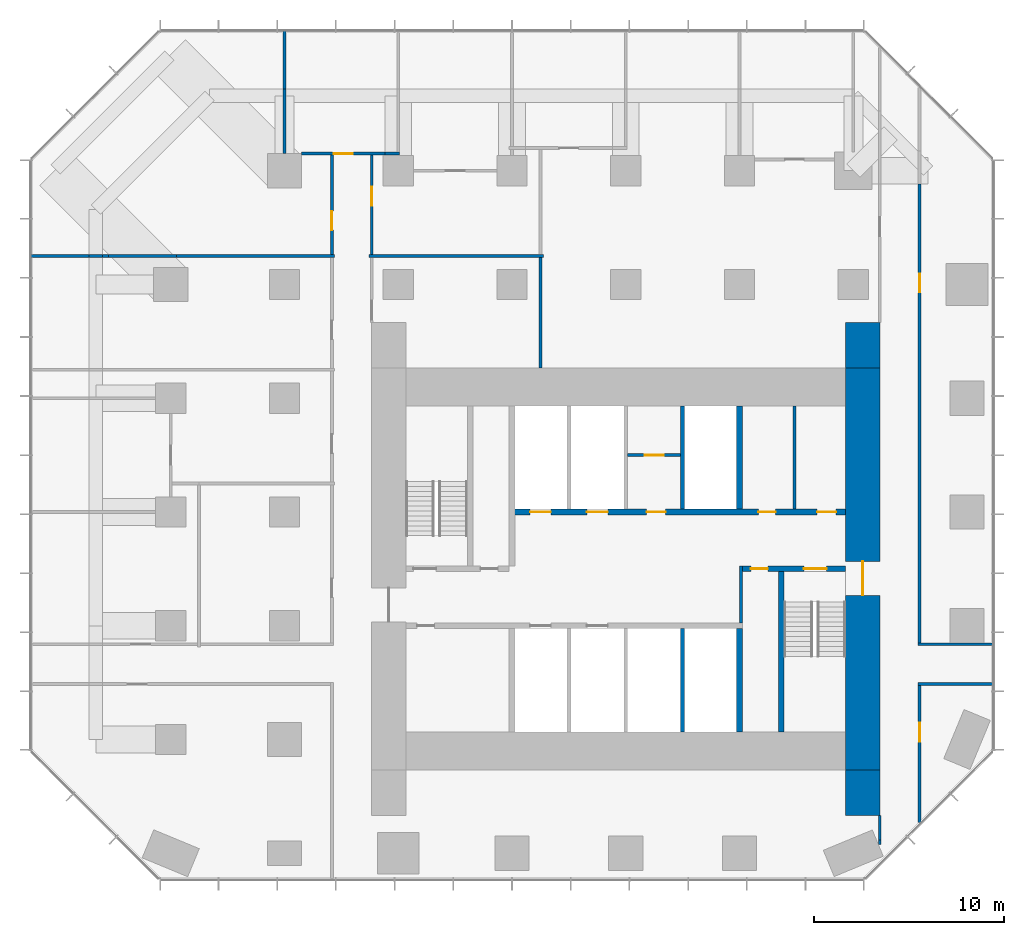
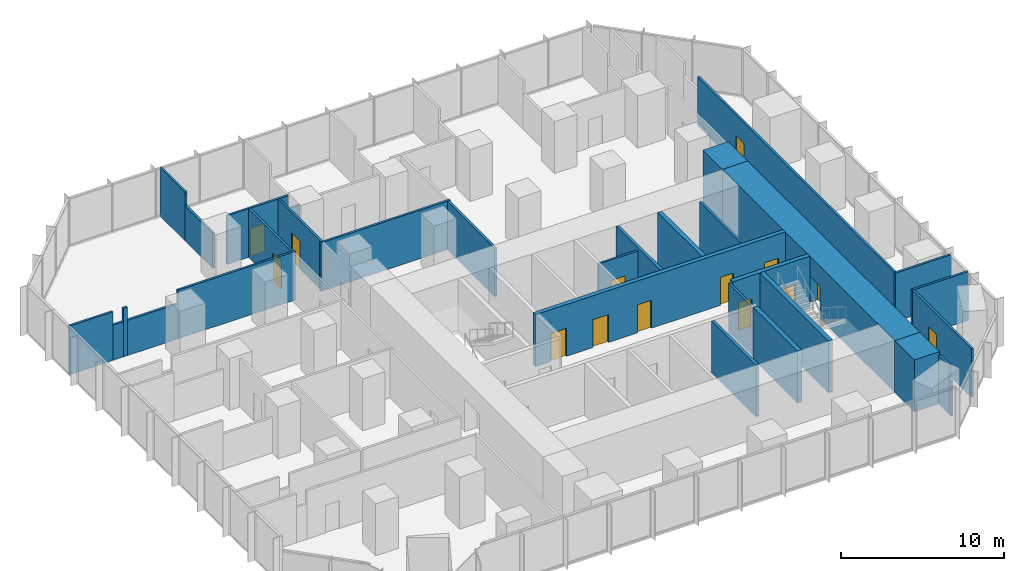
# One storey, part 9 of 11: 32 walls, 14 doors, 14 openings.
"""IFC4 building model written with IfcOpenShell, lengths in metres."""

from ifc_helpers import new_model, si_unit, direction, frame, frame_2d, origin, place, context, subcontext, project, spatial, rectangle, extrude, material, layer, layer_set, type_object, element, fill, save


model = new_model("IFC4")

# Units and contexts
model_context = context("Model", 3, precision=1e-05, world=origin(), true_north=direction((0.0, 1.0)))
body_context = subcontext(model_context, "Body", "Model", "MODEL_VIEW")
ifc_project = project(units=[si_unit("LENGTHUNIT", "METRE"), si_unit("AREAUNIT", "SQUARE_METRE"), si_unit("VOLUMEUNIT", "CUBIC_METRE"), si_unit("PLANEANGLEUNIT", "RADIAN"), si_unit("MASSUNIT", "GRAM", prefix="KILO")], contexts=[model_context])

# Site, building, storey
site_placement = place(None, origin())
site = spatial("IfcSite", under=ifc_project, at=site_placement, CompositionType="ELEMENT")
building_placement = place(site_placement, origin())
building = spatial("IfcBuilding", under=site, at=building_placement, Name="Highveld Stack Headquarters", CompositionType="ELEMENT")
storey_placement = place(building_placement, frame((0.0, 0.0, 113.300048828125)))
storey = spatial("IfcBuildingStorey", under=building, at=storey_placement, Name="L27", CompositionType="ELEMENT", Elevation=113.300048828125)

# Wall, opening, door
ifc_material_1 = material(Name="Concrete C60/75", Category="concrete")
ifc_layer_1 = layer(ifc_material_1, 1.800048828125)
ifc_layer_set_1 = layer_set([ifc_layer_1], Name="Concrete C60/75")
wall_type_1 = type_object("IfcWallType", Name="CORE WALL 1800 C60/75", PredefinedType="SHEAR", material=ifc_layer_set_1)
wall_1_placement = place(storey_placement, frame((18.5, -7.60009765625, 0.0), z_axis=(0.0, 0.0, 1.0), x_axis=(0.0, 1.0, 0.0)))
wall_1 = element("IfcWall", 1, at=wall_1_placement, inside=storey, type_object=wall_type_1, Name="Core wall E L27", PredefinedType="SHEAR", context=body_context, shape_type="SweptSolid", body=[
    extrude(rectangle(XDim=21.2001953125, YDim=1.800048828125, at=frame_2d((10.60009765625, 0.0))), origin(), (0.0, 0.0, 1.0), 3.89990234375),
])
opening_1_placement = place(wall_1_placement, frame((9.199951171875, 0.0, 0.0)))
opening_1 = element("IfcOpeningElement", 2, at=opening_1_placement, cuts=wall_1, Name="Opening L27-02", PredefinedType="OPENING", context=body_context, shape_type="SweptSolid", body=[
    extrude(rectangle(XDim=1.800048828125, YDim=2.39990234375, at=frame_2d((0.89990234375, 1.199951171875))), frame((0.0, 0.909912109375, 0.0), z_axis=(0.0, -1.0, 0.0), x_axis=(1.0, 0.0, 0.0)), (0.0, 0.0, 1.0), 1.820068359375),
])
ifc_material_2 = material(Name="Steel fire door", Category="steel")
door_type_1 = type_object("IfcDoorType", Name="LOBBY FIRE DOOR D4 1800x2400", OperationType="DOUBLE_DOOR_SINGLE_SWING", PredefinedType="DOOR", material=ifc_material_2)
door_1_placement = place(opening_1_placement, origin())
door_1 = element("IfcDoor", 3, at=door_1_placement, inside=storey, type_object=door_type_1, Name="Core east door L27", OperationType="DOUBLE_DOOR_SINGLE_SWING", OverallHeight=2.39990234375, OverallWidth=1.800048828125, PredefinedType="DOOR", context=body_context, shape_type="SweptSolid", body=[
    extrude(rectangle(XDim=1.800048828125, YDim=2.39990234375, at=frame_2d((0.89990234375, 1.199951171875))), frame((0.0, 0.02490234375, 0.0), z_axis=(0.0, -1.0, 0.0), x_axis=(1.0, 0.0, 0.0)), (0.0, 0.0, 1.0), 0.050048828125),
])
fill(opening_1, door_1)

# Wall, openings, doors
ifc_material_3 = material(Name="Concrete C60/75", Category="concrete")
ifc_layer_2 = layer(ifc_material_3, 0.300048828125)
ifc_layer_set_2 = layer_set([ifc_layer_2], Name="Concrete C60/75")
wall_type_2 = type_object("IfcWallType", Name="CORE WALL 300 C60/75", PredefinedType="SHEAR", material=ifc_layer_set_2)
wall_2_placement = place(storey_placement, frame((12.14990234375, 3.0, 0.0), z_axis=(0.0, 0.0, 1.0), x_axis=(1.0, 0.0, 0.0)))
wall_2 = element("IfcWall", 4, at=wall_2_placement, inside=storey, type_object=wall_type_2, Name="Core wall I-Y3E L27", PredefinedType="SHEAR", context=body_context, shape_type="SweptSolid", body=[
    extrude(rectangle(XDim=5.4501953125, YDim=0.300048828125, at=frame_2d((2.72509765625, 0.0))), origin(), (0.0, 0.0, 1.0), 3.89990234375),
])
opening_2_placement = place(wall_2_placement, frame((3.25, 0.0, 0.0)))
opening_2 = element("IfcOpeningElement", 5, at=opening_2_placement, cuts=wall_2, Name="Opening L27-05", PredefinedType="OPENING", context=body_context, shape_type="SweptSolid", body=[
    extrude(rectangle(XDim=1.199951171875, YDim=2.10009765625, at=frame_2d((0.60009765625, 1.050048828125))), frame((0.0, 0.159912109375, 0.0), z_axis=(0.0, -1.0, 0.0), x_axis=(1.0, 0.0, 0.0)), (0.0, 0.0, 1.0), 0.320068359375),
])
opening_3_placement = place(wall_2_placement, frame((0.449951171875, 0.0, 0.0)))
opening_3 = element("IfcOpeningElement", 6, at=opening_3_placement, cuts=wall_2, Name="Opening L27-06", PredefinedType="OPENING", context=body_context, shape_type="SweptSolid", body=[
    extrude(rectangle(XDim=0.89990234375, YDim=2.10009765625, at=frame_2d((0.449951171875, 1.050048828125))), frame((0.0, 0.159912109375, 0.0), z_axis=(0.0, -1.0, 0.0), x_axis=(1.0, 0.0, 0.0)), (0.0, 0.0, 1.0), 0.320068359375),
])
ifc_material_4 = material(Name="Steel fire door", Category="steel")
door_type_2 = type_object("IfcDoorType", Name="RISER ACCESS DOOR D5 900x2100", OperationType="SINGLE_SWING_LEFT", PredefinedType="DOOR", material=ifc_material_4)
door_2_placement = place(opening_3_placement, origin())
door_2 = element("IfcDoor", 7, at=door_2_placement, inside=storey, type_object=door_type_2, Name="Riser R2 door L27", OperationType="SINGLE_SWING_LEFT", OverallHeight=2.10009765625, OverallWidth=0.89990234375, PredefinedType="DOOR", context=body_context, shape_type="SweptSolid", body=[
    extrude(rectangle(XDim=0.89990234375, YDim=2.10009765625, at=frame_2d((0.449951171875, 1.050048828125))), frame((0.0, 0.02490234375, 0.0), z_axis=(0.0, -1.0, 0.0), x_axis=(1.0, 0.0, 0.0)), (0.0, 0.0, 1.0), 0.050048828125),
])
fill(opening_3, door_2)
ifc_material_5 = material(Name="Steel fire door", Category="steel")
door_type_3 = type_object("IfcDoorType", Name="STAIR FIRE DOOR D3 1200x2100", OperationType="SINGLE_SWING_LEFT", PredefinedType="DOOR", material=ifc_material_5)
door_3_placement = place(opening_2_placement, origin())
door_3 = element("IfcDoor", 8, at=door_3_placement, inside=storey, type_object=door_type_3, Name="Stair S2 door L27", OperationType="SINGLE_SWING_RIGHT", OverallHeight=2.10009765625, OverallWidth=1.199951171875, PredefinedType="DOOR", context=body_context, shape_type="SweptSolid", body=[
    extrude(rectangle(XDim=1.199951171875, YDim=2.10009765625, at=frame_2d((0.60009765625, 1.050048828125))), frame((0.0, 0.02490234375, 0.0), z_axis=(0.0, -1.0, 0.0), x_axis=(1.0, 0.0, 0.0)), (0.0, 0.0, 1.0), 0.050048828125),
])
fill(opening_2, door_3)

wall_3_placement = place(storey_placement, frame((-0.14990234375, 6.0, 0.0), z_axis=(0.0, 0.0, 1.0), x_axis=(1.0, 0.0, 0.0)))
wall_3 = element("IfcWall", 9, at=wall_3_placement, inside=storey, type_object=wall_type_2, Name="Core wall I-Y6 L27", PredefinedType="SHEAR", context=body_context, shape_type="SweptSolid", body=[
    extrude(rectangle(XDim=17.75, YDim=0.300048828125, at=frame_2d((8.875, 0.0))), origin(), (0.0, 0.0, 1.0), 3.89990234375),
])
opening_4_placement = place(wall_3_placement, frame((13.14990234375, 0.0, 0.0)))
opening_4 = element("IfcOpeningElement", 10, at=opening_4_placement, cuts=wall_3, Name="Opening L27-08", PredefinedType="OPENING", context=body_context, shape_type="SweptSolid", body=[
    extrude(rectangle(XDim=0.89990234375, YDim=2.10009765625, at=frame_2d((0.449951171875, 1.050048828125))), frame((0.0, 0.159912109375, 0.0), z_axis=(0.0, -1.0, 0.0), x_axis=(1.0, 0.0, 0.0)), (0.0, 0.0, 1.0), 0.320068359375),
])
opening_5_placement = place(wall_3_placement, frame((16.25, 0.0, 0.0)))
opening_5 = element("IfcOpeningElement", 11, at=opening_5_placement, cuts=wall_3, Name="Opening L27-09", PredefinedType="OPENING", context=body_context, shape_type="SweptSolid", body=[
    extrude(rectangle(XDim=1.0, YDim=2.10009765625, at=frame_2d((0.5, 1.050048828125))), frame((0.0, 0.159912109375, 0.0), z_axis=(0.0, -1.0, 0.0), x_axis=(1.0, 0.0, 0.0)), (0.0, 0.0, 1.0), 0.320068359375),
])
opening_6_placement = place(wall_3_placement, frame((7.25, 0.0, 0.0)))
opening_6 = element("IfcOpeningElement", 12, at=opening_6_placement, cuts=wall_3, Name="Opening L27-11", PredefinedType="OPENING", context=body_context, shape_type="SweptSolid", body=[
    extrude(rectangle(XDim=1.0, YDim=2.10009765625, at=frame_2d((0.5, 1.050048828125))), frame((0.0, 0.159912109375, 0.0), z_axis=(0.0, -1.0, 0.0), x_axis=(1.0, 0.0, 0.0)), (0.0, 0.0, 1.0), 0.320068359375),
])
opening_7_placement = place(wall_3_placement, frame((1.10009765625, 0.0, 0.0)))
opening_7 = element("IfcOpeningElement", 13, at=opening_7_placement, cuts=wall_3, Name="Opening LD", PredefinedType="OPENING", context=body_context, shape_type="SweptSolid", body=[
    extrude(rectangle(XDim=1.10009765625, YDim=2.10009765625, at=frame_2d((0.550048828125, 1.050048828125))), frame((0.0, 0.159912109375, 0.0), z_axis=(0.0, -1.0, 0.0), x_axis=(1.0, 0.0, 0.0)), (0.0, 0.0, 1.0), 0.320068359375),
])
opening_8_placement = place(wall_3_placement, frame((4.10009765625, 0.0, 0.0)))
opening_8 = element("IfcOpeningElement", 14, at=opening_8_placement, cuts=wall_3, Name="Opening LD", PredefinedType="OPENING", context=body_context, shape_type="SweptSolid", body=[
    extrude(rectangle(XDim=1.10009765625, YDim=2.10009765625, at=frame_2d((0.550048828125, 1.050048828125))), frame((0.0, 0.159912109375, 0.0), z_axis=(0.0, -1.0, 0.0), x_axis=(1.0, 0.0, 0.0)), (0.0, 0.0, 1.0), 0.320068359375),
])
ifc_material_6 = material(Name="Timber door, painted", Category="wood")
door_type_4 = type_object("IfcDoorType", Name="ACCESSIBLE WC DOOR D2 1000x2100", OperationType="SINGLE_SWING_RIGHT", PredefinedType="DOOR", material=ifc_material_6)
door_4_placement = place(opening_5_placement, origin())
door_4 = element("IfcDoor", 15, at=door_4_placement, inside=storey, type_object=door_type_4, Name="Accessible WC door L27", OperationType="SINGLE_SWING_RIGHT", OverallHeight=2.10009765625, OverallWidth=1.0, PredefinedType="DOOR", context=body_context, shape_type="SweptSolid", body=[
    extrude(rectangle(XDim=1.0, YDim=2.10009765625, at=frame_2d((0.5, 1.050048828125))), frame((0.0, 0.02490234375, 0.0), z_axis=(0.0, -1.0, 0.0), x_axis=(1.0, 0.0, 0.0)), (0.0, 0.0, 1.0), 0.050048828125),
])
fill(opening_5, door_4)
ifc_material_7 = material(Name="Steel fire door", Category="steel")
door_type_5 = type_object("IfcDoorType", Name="CORE ROOM FIRE DOOR D14 1000x2100", OperationType="SINGLE_SWING_LEFT", PredefinedType="DOOR", material=ifc_material_7)
door_5_placement = place(opening_6_placement, origin())
door_5 = element("IfcDoor", 16, at=door_5_placement, inside=storey, type_object=door_type_5, Name="Capped A 1 door L27", OperationType="SINGLE_SWING_LEFT", OverallHeight=2.10009765625, OverallWidth=1.0, PredefinedType="DOOR", context=body_context, shape_type="SweptSolid", body=[
    extrude(rectangle(XDim=1.0, YDim=2.10009765625, at=frame_2d((0.5, 1.050048828125))), frame((0.0, 0.02490234375, 0.0), z_axis=(0.0, -1.0, 0.0), x_axis=(1.0, 0.0, 0.0)), (0.0, 0.0, 1.0), 0.050048828125),
])
fill(opening_6, door_5)
ifc_material_8 = material(Name="Stainless steel lift landing door", Category="steel")
door_type_6 = type_object("IfcDoorType", Name="LIFT LANDING DOOR LD 1100x2100", OperationType="DOUBLE_DOOR_SLIDING", PredefinedType="USERDEFINED", material=ifc_material_8)
door_6_placement = place(opening_7_placement, origin())
door_6 = element("IfcDoor", 17, at=door_6_placement, inside=storey, type_object=door_type_6, Name="Lift landing door FF1 L27", ObjectType="LIFT LANDING DOOR", OperationType="DOUBLE_DOOR_SLIDING", OverallHeight=2.10009765625, OverallWidth=1.10009765625, PredefinedType="USERDEFINED", context=body_context, shape_type="SweptSolid", body=[
    extrude(rectangle(XDim=1.10009765625, YDim=2.10009765625, at=frame_2d((0.550048828125, 1.050048828125))), frame((0.0, 0.02490234375, 0.0), z_axis=(0.0, -1.0, 0.0), x_axis=(1.0, 0.0, 0.0)), (0.0, 0.0, 1.0), 0.050048828125),
])
fill(opening_7, door_6)
door_7_placement = place(opening_8_placement, origin())
door_7 = element("IfcDoor", 18, at=door_7_placement, inside=storey, type_object=door_type_6, Name="Lift landing door FF2 L27", ObjectType="LIFT LANDING DOOR", OperationType="DOUBLE_DOOR_SLIDING", OverallHeight=2.10009765625, OverallWidth=1.10009765625, PredefinedType="USERDEFINED", context=body_context, shape_type="SweptSolid", body=[
    extrude(rectangle(XDim=1.10009765625, YDim=2.10009765625, at=frame_2d((0.550048828125, 1.050048828125))), frame((0.0, 0.02490234375, 0.0), z_axis=(0.0, -1.0, 0.0), x_axis=(1.0, 0.0, 0.0)), (0.0, 0.0, 1.0), 0.050048828125),
])
fill(opening_8, door_7)
ifc_material_9 = material(Name="Timber door, painted", Category="wood")
door_type_7 = type_object("IfcDoorType", Name="WC DOOR D1 900x2100", OperationType="SINGLE_SWING_LEFT", PredefinedType="DOOR", material=ifc_material_9)
door_8_placement = place(opening_4_placement, origin())
door_8 = element("IfcDoor", 19, at=door_8_placement, inside=storey, type_object=door_type_7, Name="Male WC door L27", OperationType="SINGLE_SWING_RIGHT", OverallHeight=2.10009765625, OverallWidth=0.89990234375, PredefinedType="DOOR", context=body_context, shape_type="SweptSolid", body=[
    extrude(rectangle(XDim=0.89990234375, YDim=2.10009765625, at=frame_2d((0.449951171875, 1.050048828125))), frame((0.0, 0.02490234375, 0.0), z_axis=(0.0, -1.0, 0.0), x_axis=(1.0, 0.0, 0.0)), (0.0, 0.0, 1.0), 0.050048828125),
])
fill(opening_4, door_8)

# Walls
for number, where, z_axis, x_axis, name in (
    (20, (12.0, -5.60009765625, 0.0), (0.0, 0.0, 1.0), (0.0, 1.0, 0.0), "Core wall I-X12S L27"),
    (21, (12.0, 6.14990234375, 0.0), (0.0, 0.0, 1.0), (0.0, 1.0, 0.0), "Core wall I-X12N L27"),
):
    element("IfcWall", number, at=place(storey_placement, frame(where, z_axis=z_axis, x_axis=x_axis)), inside=storey, type_object=wall_type_2, Name=name, PredefinedType="SHEAR", context=body_context, shape_type="SweptSolid", body=[
        extrude(rectangle(XDim=5.4501953125, YDim=0.300048828125, at=frame_2d((2.72509765625, 0.0))), origin(), (0.0, 0.0, 1.0), 3.89990234375),
    ])
wall_4_placement = place(storey_placement, frame((14.199951171875, -5.60009765625, 0.0), z_axis=(0.0, 0.0, 1.0), x_axis=(0.0, 1.0, 0.0)))
element("IfcWall", 22, at=wall_4_placement, inside=storey, type_object=wall_type_2, Name="Core wall I-RE L27", PredefinedType="SHEAR", context=body_context, shape_type="SweptSolid", body=[
    extrude(rectangle(XDim=8.4501953125, YDim=0.300048828125, at=frame_2d((4.22509765625, 0.0))), origin(), (0.0, 0.0, 1.0), 3.89990234375),
])
ifc_material_10 = material(Name="Concrete C60/75", Category="concrete")
ifc_layer_3 = layer(ifc_material_10, 1.800048828125)
ifc_layer_set_3 = layer_set([ifc_layer_3], Name="Concrete C60/75")
wall_type_3 = type_object("IfcWallType", Name="CORE WING WALL 1800 C60/75", PredefinedType="SHEAR", material=ifc_layer_set_3)
for number, where, z_axis, x_axis, name in (
    (23, (18.5, -10.0, 0.0), (0.0, 0.0, 1.0), (0.0, 1.0, 0.0), "Core wing wall ES L27"),
    (24, (18.5, 13.60009765625, 0.0), (0.0, 0.0, 1.0), (0.0, 1.0, 0.0), "Core wing wall EN L27"),
):
    element("IfcWall", number, at=place(storey_placement, frame(where, z_axis=z_axis, x_axis=x_axis)), inside=storey, type_object=wall_type_3, Name=name, PredefinedType="SHEAR", context=body_context, shape_type="SweptSolid", body=[
        extrude(rectangle(XDim=2.39990234375, YDim=1.800048828125, at=frame_2d((1.199951171875, 0.0))), origin(), (0.0, 0.0, 1.0), 3.89990234375),
    ])

# Wall, opening, door
ifc_material_11 = material(Name="Concrete blockwork, plastered", Category="masonry")
ifc_layer_4 = layer(ifc_material_11, 0.14990234375)
ifc_layer_set_4 = layer_set([ifc_layer_4], Name="Concrete blockwork, plastered")
wall_type_4 = type_object("IfcWallType", Name="FIRE PARTITION 150 BLOCKWORK", PredefinedType="PARTITIONING", material=ifc_layer_set_4)
wall_5_placement = place(storey_placement, frame((6.10009765625, 9.0, 0.0), z_axis=(0.0, 0.0, 1.0), x_axis=(1.0, 0.0, 0.0)))
wall_5 = element("IfcWall", 25, at=wall_5_placement, inside=storey, type_object=wall_type_4, Name="Core room partition L27", PredefinedType="PARTITIONING", context=body_context, shape_type="SweptSolid", body=[
    extrude(rectangle(XDim=2.7998046875, YDim=0.14990234375, at=frame_2d((1.39990234375, 0.0))), origin(), (0.0, 0.0, 1.0), 3.64990234375),
])
opening_9_placement = place(wall_5_placement, frame((0.89990234375, 0.0, 0.0)))
opening_9 = element("IfcOpeningElement", 26, at=opening_9_placement, cuts=wall_5, Name="Opening L27-10", PredefinedType="OPENING", context=body_context, shape_type="SweptSolid", body=[
    extrude(rectangle(XDim=1.0, YDim=2.10009765625, at=frame_2d((0.5, 1.050048828125))), frame((0.0, 0.0849609375, 0.0), z_axis=(0.0, -1.0, 0.0), x_axis=(1.0, 0.0, 0.0)), (0.0, 0.0, 1.0), 0.169921875),
])
door_9_placement = place(opening_9_placement, origin())
door_9 = element("IfcDoor", 27, at=door_9_placement, inside=storey, type_object=door_type_5, Name="Capped A 2 door L27", OperationType="SINGLE_SWING_RIGHT", OverallHeight=2.10009765625, OverallWidth=1.0, PredefinedType="DOOR", context=body_context, shape_type="SweptSolid", body=[
    extrude(rectangle(XDim=1.0, YDim=2.10009765625, at=frame_2d((0.5, 1.050048828125))), frame((0.0, 0.02490234375, 0.0), z_axis=(0.0, -1.0, 0.0), x_axis=(1.0, 0.0, 0.0)), (0.0, 0.0, 1.0), 0.050048828125),
])
fill(opening_9, door_9)

# Walls
wall_6_placement = place(storey_placement, frame((12.074951171875, 0.14990234375, 0.0), z_axis=(0.0, 0.0, 1.0), x_axis=(0.0, 1.0, 0.0)))
element("IfcWall", 28, at=wall_6_placement, inside=storey, type_object=wall_type_4, Name="Riser R2 enclosure L27", PredefinedType="PARTITIONING", context=body_context, shape_type="SweptSolid", body=[
    extrude(rectangle(XDim=3.0, YDim=0.14990234375, at=frame_2d((1.5, 0.0))), origin(), (0.0, 0.0, 1.0), 3.64990234375),
])
ifc_material_12 = material(Name="Concrete blockwork, fair-faced", Category="masonry")
ifc_layer_5 = layer(ifc_material_12, 0.199951171875)
ifc_layer_set_5 = layer_set([ifc_layer_5], Name="Concrete blockwork, fair-faced")
wall_type_5 = type_object("IfcWallType", Name="LIFT SHAFT ENCLOSURE WALL 200 BLOCKWORK", PredefinedType="SOLIDWALL", material=ifc_layer_set_5)
for number, where, z_axis, x_axis, name in (
    (29, (9.0, 6.14990234375, 0.0), (0.0, 0.0, 1.0), (0.0, 1.0, 0.0), "Lift shaft wall L27"),
    (30, (9.0, -5.60009765625, 0.0), (0.0, 0.0, 1.0), (0.0, 1.0, 0.0), "Lift shaft wall L27"),
):
    element("IfcWall", number, at=place(storey_placement, frame(where, z_axis=z_axis, x_axis=x_axis)), inside=storey, type_object=wall_type_5, Name=name, PredefinedType="SOLIDWALL", context=body_context, shape_type="SweptSolid", body=[
        extrude(rectangle(XDim=5.4501953125, YDim=0.199951171875, at=frame_2d((2.72509765625, 0.0))), origin(), (0.0, 0.0, 1.0), 3.89990234375),
    ])

# Wall, opening, door
ifc_material_13 = material(Name="Gypsum plasterboard on steel studs", Category="steel")
ifc_layer_6 = layer(ifc_material_13, 0.14990234375)
ifc_layer_set_6 = layer_set([ifc_layer_6], Name="Gypsum plasterboard on steel studs")
wall_type_6 = type_object("IfcWallType", Name="PARTITION 150 PLASTERBOARD", PredefinedType="PARTITIONING", material=ifc_layer_set_6)
wall_7_placement = place(storey_placement, frame((-11.10009765625, 24.89990234375, 0.0), z_axis=(0.0, 0.0, 1.0), x_axis=(1.0, 0.0, 0.0)))
wall_7 = element("IfcWall", 31, at=wall_7_placement, inside=storey, type_object=wall_type_6, Name="Partition Interview room L27", PredefinedType="PARTITIONING", context=body_context, shape_type="SweptSolid", body=[
    extrude(rectangle(XDim=4.39013671875, YDim=0.14990234375, at=frame_2d((2.195068359375, 0.0))), origin(), (0.0, 0.0, 1.0), 3.64990234375),
])
opening_10_placement = place(wall_7_placement, frame((1.695068359375, 0.0, 0.0)))
opening_10 = element("IfcOpeningElement", 32, at=opening_10_placement, cuts=wall_7, Name="Opening L27-13", PredefinedType="OPENING", context=body_context, shape_type="SweptSolid", body=[
    extrude(rectangle(XDim=1.0, YDim=2.10009765625, at=frame_2d((0.5, 1.050048828125))), frame((0.0, 0.0849609375, 0.0), z_axis=(0.0, -1.0, 0.0), x_axis=(1.0, 0.0, 0.0)), (0.0, 0.0, 1.0), 0.169921875),
])
ifc_material_14 = material(Name="Timber door, oiled ash", Category="wood")
door_type_8 = type_object("IfcDoorType", Name="ROOM DOOR D6 1000x2100", OperationType="SINGLE_SWING_LEFT", PredefinedType="DOOR", material=ifc_material_14)
door_10_placement = place(opening_10_placement, origin())
door_10 = element("IfcDoor", 33, at=door_10_placement, inside=storey, type_object=door_type_8, Name="Interview room door 1 L27", OperationType="SINGLE_SWING_LEFT", OverallHeight=2.10009765625, OverallWidth=1.0, PredefinedType="DOOR", context=body_context, shape_type="SweptSolid", body=[
    extrude(rectangle(XDim=1.0, YDim=2.10009765625, at=frame_2d((0.5, 1.050048828125))), frame((0.0, 0.02490234375, 0.0), z_axis=(0.0, -1.0, 0.0), x_axis=(1.0, 0.0, 0.0)), (0.0, 0.0, 1.0), 0.050048828125),
])
fill(opening_10, door_10)

# Walls
wall_8_placement = place(storey_placement, frame((-6.7099609375, 24.89990234375, 0.0), z_axis=(0.0, 0.0, 1.0), x_axis=(1.0, 0.0, 0.0)))
element("IfcWall", 34, at=wall_8_placement, inside=storey, type_object=wall_type_6, Name="Partition Interview room L27", PredefinedType="PARTITIONING", context=body_context, shape_type="SweptSolid", body=[
    extrude(rectangle(XDim=0.784912109375, YDim=0.14990234375, at=frame_2d((0.392578125, 0.0))), origin(), (0.0, 0.0, 1.0), 2.64990234375),
])
wall_9_placement = place(storey_placement, frame((-12.0, 24.89990234375, 0.0), z_axis=(0.0, 0.0, 1.0), x_axis=(0.0, 1.0, 0.0)))
element("IfcWall", 35, at=wall_9_placement, inside=storey, type_object=wall_type_6, Name="Partition Interview room L27", PredefinedType="PARTITIONING", context=body_context, shape_type="SweptSolid", body=[
    extrude(rectangle(XDim=3.41015625, YDim=0.14990234375, at=frame_2d((1.705078125, 0.0))), origin(), (0.0, 0.0, 1.0), 2.64990234375),
])
for number, where, z_axis, x_axis, name in (
    (36, (-12.0, 28.31005859375, 0.0), (0.0, 0.0, 1.0), (0.0, 1.0, 0.0), "Partition Interview room L27"),
    (37, (-25.39990234375, 19.5, 0.0), (0.0, 0.0, 1.0), (1.0, 0.0, 0.0), "Partition office neighbourhood L27"),
):
    element("IfcWall", number, at=place(storey_placement, frame(where, z_axis=z_axis, x_axis=x_axis)), inside=storey, type_object=wall_type_6, Name=name, PredefinedType="PARTITIONING", context=body_context, shape_type="SweptSolid", body=[
        extrude(rectangle(XDim=3.08984375, YDim=0.14990234375, at=frame_2d((1.544921875, 0.0))), origin(), (0.0, 0.0, 1.0), 3.64990234375),
    ])
wall_10_placement = place(storey_placement, frame((-22.31005859375, 19.5, 0.0), z_axis=(0.0, 0.0, 1.0), x_axis=(1.0, 0.0, 0.0)))
element("IfcWall", 38, at=wall_10_placement, inside=storey, type_object=wall_type_6, Name="Partition office neighbourhood L27", PredefinedType="PARTITIONING", context=body_context, shape_type="SweptSolid", body=[
    extrude(rectangle(XDim=0.719970703125, YDim=0.14990234375, at=frame_2d((0.35986328125, 0.0))), origin(), (0.0, 0.0, 1.0), 2.64990234375),
])
wall_11_placement = place(storey_placement, frame((-21.590087890625, 19.5, 0.0), z_axis=(0.0, 0.0, 1.0), x_axis=(1.0, 0.0, 0.0)))
element("IfcWall", 39, at=wall_11_placement, inside=storey, type_object=wall_type_6, Name="Partition office neighbourhood L27", PredefinedType="PARTITIONING", context=body_context, shape_type="SweptSolid", body=[
    extrude(rectangle(XDim=0.298095703125, YDim=0.14990234375, at=frame_2d((0.14892578125, 0.0))), origin(), (0.0, 0.0, 1.0), 3.64990234375),
])
wall_12_placement = place(storey_placement, frame((-21.2919921875, 19.5, 0.0), z_axis=(0.0, 0.0, 1.0), x_axis=(1.0, 0.0, 0.0)))
element("IfcWall", 40, at=wall_12_placement, inside=storey, type_object=wall_type_6, Name="Partition office neighbourhood L27", PredefinedType="PARTITIONING", context=body_context, shape_type="SweptSolid", body=[
    extrude(rectangle(XDim=3.583984375, YDim=0.14990234375, at=frame_2d((1.7919921875, 0.0))), origin(), (0.0, 0.0, 1.0), 2.64990234375),
])
wall_13_placement = place(storey_placement, frame((-17.7080078125, 19.5, 0.0), z_axis=(0.0, 0.0, 1.0), x_axis=(1.0, 0.0, 0.0)))
element("IfcWall", 41, at=wall_13_placement, inside=storey, type_object=wall_type_6, Name="Partition office neighbourhood L27", PredefinedType="PARTITIONING", context=body_context, shape_type="SweptSolid", body=[
    extrude(rectangle(XDim=8.35791015625, YDim=0.14990234375, at=frame_2d((4.178955078125, 0.0))), origin(), (0.0, 0.0, 1.0), 3.64990234375),
])

# Wall, opening, door
wall_14_placement = place(storey_placement, frame((-9.5, 19.574951171875, 0.0), z_axis=(0.0, 0.0, 1.0), x_axis=(0.0, 1.0, 0.0)))
wall_14 = element("IfcWall", 42, at=wall_14_placement, inside=storey, type_object=wall_type_6, Name="Partition office neighbourhood L27", PredefinedType="PARTITIONING", context=body_context, shape_type="SweptSolid", body=[
    extrude(rectangle(XDim=5.25, YDim=0.14990234375, at=frame_2d((2.625, 0.0))), origin(), (0.0, 0.0, 1.0), 3.64990234375),
])
opening_11_placement = place(wall_14_placement, frame((1.2890625, 0.0, 0.0)))
opening_11 = element("IfcOpeningElement", 43, at=opening_11_placement, cuts=wall_14, Name="Opening L27-25", PredefinedType="OPENING", context=body_context, shape_type="SweptSolid", body=[
    extrude(rectangle(XDim=1.0, YDim=2.10009765625, at=frame_2d((0.5, 1.050048828125))), frame((0.0, 0.0849609375, 0.0), z_axis=(0.0, -1.0, 0.0), x_axis=(1.0, 0.0, 0.0)), (0.0, 0.0, 1.0), 0.169921875),
])
door_11_placement = place(opening_11_placement, origin())
door_11 = element("IfcDoor", 44, at=door_11_placement, inside=storey, type_object=door_type_8, Name="Office neighbourhood door L27", OperationType="SINGLE_SWING_LEFT", OverallHeight=2.10009765625, OverallWidth=1.0, PredefinedType="DOOR", context=body_context, shape_type="SweptSolid", body=[
    extrude(rectangle(XDim=1.0, YDim=2.10009765625, at=frame_2d((0.5, 1.050048828125))), frame((0.0, 0.02490234375, 0.0), z_axis=(0.0, -1.0, 0.0), x_axis=(1.0, 0.0, 0.0)), (0.0, 0.0, 1.0), 0.050048828125),
])
fill(opening_11, door_11)

wall_15_placement = place(storey_placement, frame((-7.39990234375, 19.574951171875, 0.0), z_axis=(0.0, 0.0, 1.0), x_axis=(0.0, 1.0, 0.0)))
wall_15 = element("IfcWall", 45, at=wall_15_placement, inside=storey, type_object=wall_type_6, Name="Partition office neighbourhood L27", PredefinedType="PARTITIONING", context=body_context, shape_type="SweptSolid", body=[
    extrude(rectangle(XDim=5.25, YDim=0.14990234375, at=frame_2d((2.625, 0.0))), origin(), (0.0, 0.0, 1.0), 3.64990234375),
])
opening_12_placement = place(wall_15_placement, frame((2.574951171875, 0.0, 0.0)))
opening_12 = element("IfcOpeningElement", 46, at=opening_12_placement, cuts=wall_15, Name="Opening L27-27", PredefinedType="OPENING", context=body_context, shape_type="SweptSolid", body=[
    extrude(rectangle(XDim=1.0, YDim=2.10009765625, at=frame_2d((0.5, 1.050048828125))), frame((0.0, 0.0849609375, 0.0), z_axis=(0.0, -1.0, 0.0), x_axis=(1.0, 0.0, 0.0)), (0.0, 0.0, 1.0), 0.169921875),
])
door_12_placement = place(opening_12_placement, origin())
door_12 = element("IfcDoor", 47, at=door_12_placement, inside=storey, type_object=door_type_8, Name="Office neighbourhood door L27", OperationType="SINGLE_SWING_RIGHT", OverallHeight=2.10009765625, OverallWidth=1.0, PredefinedType="DOOR", context=body_context, shape_type="SweptSolid", body=[
    extrude(rectangle(XDim=1.0, YDim=2.10009765625, at=frame_2d((0.5, 1.050048828125))), frame((0.0, 0.02490234375, 0.0), z_axis=(0.0, -1.0, 0.0), x_axis=(1.0, 0.0, 0.0)), (0.0, 0.0, 1.0), 0.050048828125),
])
fill(opening_12, door_12)

# Walls
wall_16_placement = place(storey_placement, frame((-7.550048828125, 19.5, 0.0), z_axis=(0.0, 0.0, 1.0), x_axis=(1.0, 0.0, 0.0)))
element("IfcWall", 48, at=wall_16_placement, inside=storey, type_object=wall_type_6, Name="Partition office neighbourhood L27", PredefinedType="PARTITIONING", context=body_context, shape_type="SweptSolid", body=[
    extrude(rectangle(XDim=9.199951171875, YDim=0.14990234375, at=frame_2d((4.60009765625, 0.0))), origin(), (0.0, 0.0, 1.0), 3.64990234375),
])
wall_17_placement = place(storey_placement, frame((1.5, 13.60009765625, 0.0), z_axis=(0.0, 0.0, 1.0), x_axis=(0.0, 1.0, 0.0)))
element("IfcWall", 49, at=wall_17_placement, inside=storey, type_object=wall_type_6, Name="Partition office neighbourhood L27", PredefinedType="PARTITIONING", context=body_context, shape_type="SweptSolid", body=[
    extrude(rectangle(XDim=5.824951171875, YDim=0.14990234375, at=frame_2d((2.91259765625, 0.0))), origin(), (0.0, 0.0, 1.0), 3.64990234375),
])
wall_18_placement = place(storey_placement, frame((19.39990234375, -11.54052734375, 0.0), z_axis=(0.0, 0.0, 1.0), x_axis=(0.0, 1.0, 0.0)))
element("IfcWall", 50, at=wall_18_placement, inside=storey, type_object=wall_type_6, Name="Partition office neighbourhood L27", PredefinedType="PARTITIONING", context=body_context, shape_type="SweptSolid", body=[
    extrude(rectangle(XDim=0.25048828125, YDim=0.14990234375, at=frame_2d((0.125244140625, 0.0))), origin(), (0.0, 0.0, 1.0), 2.64990234375),
])
wall_19_placement = place(storey_placement, frame((19.39990234375, -11.2900390625, 0.0), z_axis=(0.0, 0.0, 1.0), x_axis=(0.0, 1.0, 0.0)))
element("IfcWall", 51, at=wall_19_placement, inside=storey, type_object=wall_type_6, Name="Partition office neighbourhood L27", PredefinedType="PARTITIONING", context=body_context, shape_type="SweptSolid", body=[
    extrude(rectangle(XDim=1.2900390625, YDim=0.14990234375, at=frame_2d((0.64501953125, 0.0))), origin(), (0.0, 0.0, 1.0), 3.64990234375),
])

# Wall, opening, door
wall_20_placement = place(storey_placement, frame((21.5, -10.387939453125, 0.0), z_axis=(0.0, 0.0, 1.0), x_axis=(0.0, 1.0, 0.0)))
wall_20 = element("IfcWall", 52, at=wall_20_placement, inside=storey, type_object=wall_type_6, Name="Partition office neighbourhood L27", PredefinedType="PARTITIONING", context=body_context, shape_type="SweptSolid", body=[
    extrude(rectangle(XDim=7.238037109375, YDim=0.14990234375, at=frame_2d((3.619140625, 0.0))), origin(), (0.0, 0.0, 1.0), 3.64990234375),
])
opening_13_placement = place(wall_20_placement, frame((4.27099609375, 0.0, 0.0)))
opening_13 = element("IfcOpeningElement", 53, at=opening_13_placement, cuts=wall_20, Name="Opening L27-18", PredefinedType="OPENING", context=body_context, shape_type="SweptSolid", body=[
    extrude(rectangle(XDim=1.0, YDim=2.10009765625, at=frame_2d((0.5, 1.050048828125))), frame((0.0, 0.0849609375, 0.0), z_axis=(0.0, -1.0, 0.0), x_axis=(1.0, 0.0, 0.0)), (0.0, 0.0, 1.0), 0.169921875),
])
door_13_placement = place(opening_13_placement, origin())
door_13 = element("IfcDoor", 54, at=door_13_placement, inside=storey, type_object=door_type_8, Name="Office neighbourhood door L27", OperationType="SINGLE_SWING_RIGHT", OverallHeight=2.10009765625, OverallWidth=1.0, PredefinedType="DOOR", context=body_context, shape_type="SweptSolid", body=[
    extrude(rectangle(XDim=1.0, YDim=2.10009765625, at=frame_2d((0.5, 1.050048828125))), frame((0.0, 0.02490234375, 0.0), z_axis=(0.0, -1.0, 0.0), x_axis=(1.0, 0.0, 0.0)), (0.0, 0.0, 1.0), 0.050048828125),
])
fill(opening_13, door_13)

# Wall
wall_21_placement = place(storey_placement, frame((21.425048828125, -3.074951171875, 0.0), z_axis=(0.0, 0.0, 1.0), x_axis=(1.0, 0.0, 0.0)))
element("IfcWall", 55, at=wall_21_placement, inside=storey, type_object=wall_type_6, Name="Partition office neighbourhood L27", PredefinedType="PARTITIONING", context=body_context, shape_type="SweptSolid", body=[
    extrude(rectangle(XDim=3.974853515625, YDim=0.14990234375, at=frame_2d((1.9873046875, 0.0))), origin(), (0.0, 0.0, 1.0), 3.64990234375),
])

# Wall, opening, door
wall_22_placement = place(storey_placement, frame((21.5, -0.89990234375, 0.0), z_axis=(0.0, 0.0, 1.0), x_axis=(0.0, 1.0, 0.0)))
wall_22 = element("IfcWall", 56, at=wall_22_placement, inside=storey, type_object=wall_type_6, Name="Partition office neighbourhood L27", PredefinedType="PARTITIONING", context=body_context, shape_type="SweptSolid", body=[
    extrude(rectangle(XDim=24.18994140625, YDim=0.14990234375, at=frame_2d((12.094970703125, 0.0))), origin(), (0.0, 0.0, 1.0), 3.64990234375),
])
opening_14_placement = place(wall_22_placement, frame((18.47900390625, 0.0, 0.0)))
opening_14 = element("IfcOpeningElement", 57, at=opening_14_placement, cuts=wall_22, Name="Opening L27-22", PredefinedType="OPENING", context=body_context, shape_type="SweptSolid", body=[
    extrude(rectangle(XDim=1.0, YDim=2.10009765625, at=frame_2d((0.5, 1.050048828125))), frame((0.0, 0.0849609375, 0.0), z_axis=(0.0, -1.0, 0.0), x_axis=(1.0, 0.0, 0.0)), (0.0, 0.0, 1.0), 0.169921875),
])
door_14_placement = place(opening_14_placement, origin())
door_14 = element("IfcDoor", 58, at=door_14_placement, inside=storey, type_object=door_type_8, Name="Office neighbourhood door L27", OperationType="SINGLE_SWING_RIGHT", OverallHeight=2.10009765625, OverallWidth=1.0, PredefinedType="DOOR", context=body_context, shape_type="SweptSolid", body=[
    extrude(rectangle(XDim=1.0, YDim=2.10009765625, at=frame_2d((0.5, 1.050048828125))), frame((0.0, 0.02490234375, 0.0), z_axis=(0.0, -1.0, 0.0), x_axis=(1.0, 0.0, 0.0)), (0.0, 0.0, 1.0), 0.050048828125),
])
fill(opening_14, door_14)

# Walls
wall_23_placement = place(storey_placement, frame((21.425048828125, -0.97509765625, 0.0), z_axis=(0.0, 0.0, 1.0), x_axis=(1.0, 0.0, 0.0)))
element("IfcWall", 59, at=wall_23_placement, inside=storey, type_object=wall_type_6, Name="Partition office neighbourhood L27", PredefinedType="PARTITIONING", context=body_context, shape_type="SweptSolid", body=[
    extrude(rectangle(XDim=3.974853515625, YDim=0.14990234375, at=frame_2d((1.9873046875, 0.0))), origin(), (0.0, 0.0, 1.0), 3.64990234375),
])
ifc_material_15 = material(Name="Concrete blockwork, tiled", Category="masonry")
ifc_layer_7 = layer(ifc_material_15, 0.14990234375)
ifc_layer_set_7 = layer_set([ifc_layer_7], Name="Concrete blockwork, tiled")
wall_type_7 = type_object("IfcWallType", Name="WC PARTITION 150", PredefinedType="PLUMBINGWALL", material=ifc_layer_set_7)
wall_24_placement = place(storey_placement, frame((14.89990234375, 6.14990234375, 0.0), z_axis=(0.0, 0.0, 1.0), x_axis=(0.0, 1.0, 0.0)))
element("IfcWall", 60, at=wall_24_placement, inside=storey, type_object=wall_type_7, Name="Toilet partition L27", PredefinedType="PLUMBINGWALL", context=body_context, shape_type="SweptSolid", body=[
    extrude(rectangle(XDim=5.4501953125, YDim=0.14990234375, at=frame_2d((2.72509765625, 0.0))), origin(), (0.0, 0.0, 1.0), 3.64990234375),
])

save(model, "model.ifc")
